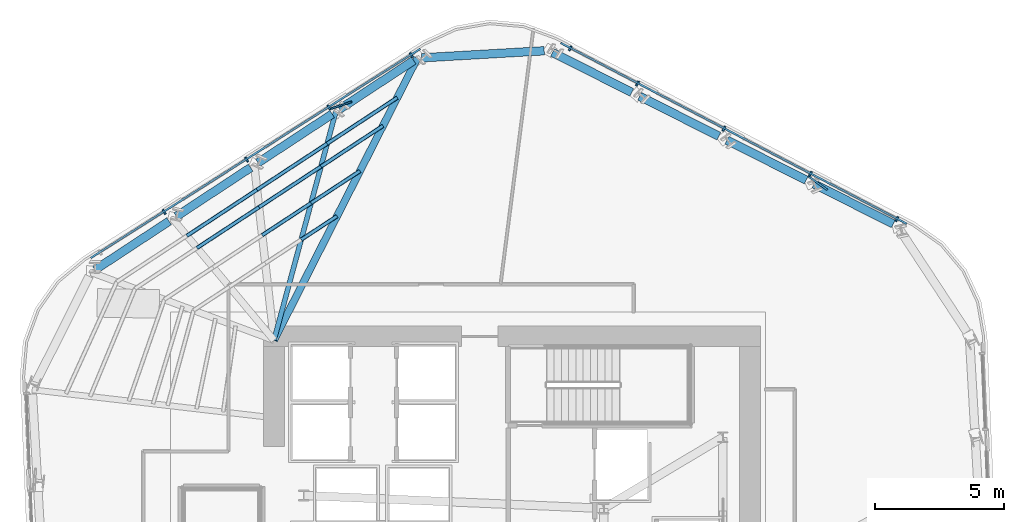
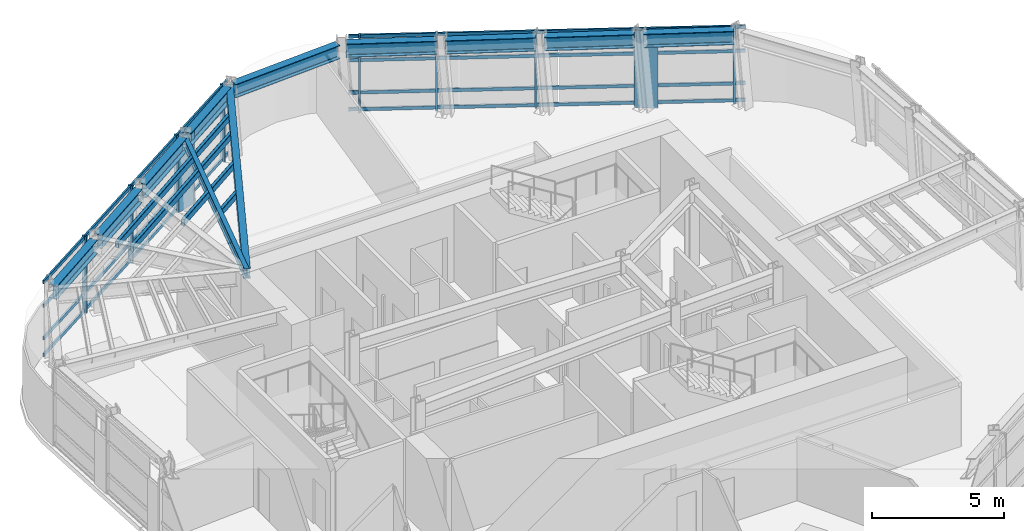
# One storey, part 6 of 15: 28 members, 11 beams, 2 elements without a shape of their own.
"""IFC4 building model written with IfcOpenShell, lengths in metres."""

from ifc_helpers import new_model, si_unit, direction, frame, origin, origin_2d, place, context, subcontext, project, spatial, rectangle, hollow_rectangle, i_section, extrude, material, layer, layer_set, material_profile, profile_set, type_object, element, aggregate, save


model = new_model("IFC4")

# Units and contexts
model_context = context("Model", 3, precision=1e-05, world=origin(), true_north=direction((0.0, 1.0)))
body_context = subcontext(model_context, "Body", "Model", "MODEL_VIEW")
ifc_project = project(units=[si_unit("LENGTHUNIT", "METRE"), si_unit("AREAUNIT", "SQUARE_METRE"), si_unit("VOLUMEUNIT", "CUBIC_METRE"), si_unit("PLANEANGLEUNIT", "RADIAN"), si_unit("MASSUNIT", "GRAM", prefix="KILO")], contexts=[model_context])

# Site, building, storey
site_placement = place(None, origin())
site = spatial("IfcSite", under=ifc_project, at=site_placement, CompositionType="ELEMENT")
building_placement = place(site_placement, origin())
building = spatial("IfcBuilding", under=site, at=building_placement, Name="Valkerne Bourse Tower", CompositionType="ELEMENT")
storey_placement = place(building_placement, frame((0.0, 0.0, 162.800048828125)))
storey = spatial("IfcBuildingStorey", under=building, at=storey_placement, Name="L41", CompositionType="ELEMENT", Elevation=162.800048828125)

# Beams
ifc_material_1 = material(Name="Steel ASTM A992", Category="steel")
ifc_material_profile_1 = material_profile(ifc_material_1, i_section(OverallWidth=0.1904296875, OverallDepth=0.457275390625, WebThickness=0.009033203125, FlangeThickness=0.014404296875, FilletRadius=0.01513671875, at=origin_2d()), Name="W18X50")
ifc_profile_set_1 = profile_set([ifc_material_profile_1], Name="Steel ASTM A992")
beam_type_1 = type_object("IfcBeamType", Name="BM-W18X50", PredefinedType="JOIST", material=ifc_profile_set_1)
beam_1_placement = place(storey_placement, frame((39.99072265625, 44.234619140625, 3.351318359375), z_axis=(-0.261200603108, -0.965284540918, 0.0), x_axis=(0.965284540918, -0.261200603108, 0.0)))
element("IfcBeam", 1, at=beam_1_placement, inside=storey, type_object=beam_type_1, Name="L41 Radial Composite Floor Beam 06", PredefinedType="JOIST", context=body_context, shape_type="SweptSolid", body=[
    extrude(i_section(OverallWidth=0.1904296875, OverallDepth=0.457275390625, WebThickness=0.009033203125, FlangeThickness=0.014404296875, FilletRadius=0.01513671875, at=origin_2d()), origin(), (0.0, 0.0, 1.0), 9.15234375),
])
ifc_material_profile_2 = material_profile(ifc_material_1, i_section(OverallWidth=0.279296875, OverallDepth=0.46240234375, WebThickness=0.0107421875, FlangeThickness=0.017333984375, FilletRadius=0.017822265625, at=origin_2d()), Name="W18X76")
ifc_profile_set_2 = profile_set([ifc_material_profile_2], Name="Steel ASTM A992")
beam_type_2 = type_object("IfcBeamType", Name="BM-W18X76", PredefinedType="BEAM", material=ifc_profile_set_2)
beam_2_placement = place(storey_placement, frame((43.142578125, 46.304931640625, 3.3486328125), z_axis=(-0.453087551461, -0.891466023307, 0.0), x_axis=(0.891466023307, -0.453087551461, 0.0)))
element("IfcBeam", 2, at=beam_2_placement, inside=storey, type_object=beam_type_2, Name="L41 Radial Composite Floor Beam 05", PredefinedType="BEAM", context=body_context, shape_type="SweptSolid", body=[
    extrude(i_section(OverallWidth=0.279296875, OverallDepth=0.46240234375, WebThickness=0.0107421875, FlangeThickness=0.017333984375, FilletRadius=0.017822265625, at=origin_2d()), origin(), (0.0, 0.0, 1.0), 12.232666015625),
])
ifc_material_profile_3 = material_profile(ifc_material_1, i_section(OverallWidth=0.32763671875, OverallDepth=0.62744140625, WebThickness=0.0166015625, FlangeThickness=0.027587890625, FilletRadius=0.020263671875, at=origin_2d()), Name="W24X146")
ifc_profile_set_3 = profile_set([ifc_material_profile_3], Name="Steel ASTM A992")
beam_type_3 = type_object("IfcBeamType", Name="BM-W24X146", PredefinedType="SPANDREL", material=ifc_profile_set_3)
beam_3_placement = place(storey_placement, frame((61.5380859375, 39.896240234375, 3.266357421875), z_axis=(-0.89335731116, 0.449346986856, 0.0), x_axis=(-0.449346986856, -0.89335731116, 0.0)))
element("IfcBeam", 3, at=beam_3_placement, inside=storey, type_object=beam_type_3, Name="L41 Hexagonal Spandrel Ring Beam 00", PredefinedType="SPANDREL", context=body_context, shape_type="SweptSolid", body=[
    extrude(i_section(OverallWidth=0.32763671875, OverallDepth=0.62744140625, WebThickness=0.0166015625, FlangeThickness=0.027587890625, FilletRadius=0.020263671875, at=origin_2d()), origin(), (0.0, 0.0, 1.0), 3.43115234375),
])
beam_4_placement = place(storey_placement, frame((58.169189453125, 41.5908203125, 3.266357421875), z_axis=(-0.89341443513, 0.449233399361, 0.0), x_axis=(-0.449233399361, -0.89341443513, 0.0)))
element("IfcBeam", 4, at=beam_4_placement, inside=storey, type_object=beam_type_3, Name="L41 Hexagonal Spandrel Ring Beam 01", PredefinedType="SPANDREL", context=body_context, shape_type="SweptSolid", body=[
    extrude(i_section(OverallWidth=0.32763671875, OverallDepth=0.62744140625, WebThickness=0.0166015625, FlangeThickness=0.027587890625, FilletRadius=0.020263671875, at=origin_2d()), origin(), (0.0, 0.0, 1.0), 3.430908203125),
])
beam_5_placement = place(storey_placement, frame((54.80029296875, 43.284912109375, 3.266357421875), z_axis=(-0.89335731116, 0.449346986856, 0.0), x_axis=(-0.449346986856, -0.89335731116, 0.0)))
element("IfcBeam", 5, at=beam_5_placement, inside=storey, type_object=beam_type_3, Name="L41 Hexagonal Spandrel Ring Beam 02", PredefinedType="SPANDREL", context=body_context, shape_type="SweptSolid", body=[
    extrude(i_section(OverallWidth=0.32763671875, OverallDepth=0.62744140625, WebThickness=0.0166015625, FlangeThickness=0.027587890625, FilletRadius=0.020263671875, at=origin_2d()), origin(), (0.0, 0.0, 1.0), 3.43115234375),
])
beam_6_placement = place(storey_placement, frame((51.431396484375, 44.9794921875, 3.266357421875), z_axis=(-0.893385874037, 0.449290195832, 0.0), x_axis=(-0.449290195832, -0.893385874037, 0.0)))
element("IfcBeam", 6, at=beam_6_placement, inside=storey, type_object=beam_type_3, Name="L41 Hexagonal Spandrel Ring Beam 03", PredefinedType="SPANDREL", context=body_context, shape_type="SweptSolid", body=[
    extrude(i_section(OverallWidth=0.32763671875, OverallDepth=0.62744140625, WebThickness=0.0166015625, FlangeThickness=0.027587890625, FilletRadius=0.020263671875, at=origin_2d()), origin(), (0.0, 0.0, 1.0), 3.430908203125),
])
beam_7_placement = place(storey_placement, frame((48.044677734375, 46.587646484375, 3.266357421875), z_axis=(-0.998340852778, -0.057580740477, 0.0), x_axis=(0.057580740477, -0.998340852778, 0.0)))
element("IfcBeam", 7, at=beam_7_placement, inside=storey, type_object=beam_type_3, Name="L41 Hexagonal Spandrel Ring Beam 04", PredefinedType="SPANDREL", context=body_context, shape_type="SweptSolid", body=[
    extrude(i_section(OverallWidth=0.32763671875, OverallDepth=0.62744140625, WebThickness=0.0166015625, FlangeThickness=0.027587890625, FilletRadius=0.020263671875, at=origin_2d()), origin(), (0.0, 0.0, 1.0), 4.740234375),
])
beam_8_placement = place(storey_placement, frame((43.00048828125, 46.211669921875, 3.266357421875), z_axis=(-0.835796907879, -0.549038731585, 0.0), x_axis=(0.549038731585, -0.835796907879, 0.0)))
element("IfcBeam", 8, at=beam_8_placement, inside=storey, type_object=beam_type_3, Name="L41 Hexagonal Spandrel Ring Beam 05", PredefinedType="SPANDREL", context=body_context, shape_type="SweptSolid", body=[
    extrude(i_section(OverallWidth=0.32763671875, OverallDepth=0.62744140625, WebThickness=0.0166015625, FlangeThickness=0.027587890625, FilletRadius=0.020263671875, at=origin_2d()), origin(), (0.0, 0.0, 1.0), 3.43115234375),
])
beam_9_placement = place(storey_placement, frame((39.8486328125, 44.141357421875, 3.266357421875), z_axis=(-0.835775456487, -0.549071385462, 0.0), x_axis=(0.549071385462, -0.835775456487, 0.0)))
element("IfcBeam", 9, at=beam_9_placement, inside=storey, type_object=beam_type_3, Name="L41 Hexagonal Spandrel Ring Beam 06", PredefinedType="SPANDREL", context=body_context, shape_type="SweptSolid", body=[
    extrude(i_section(OverallWidth=0.32763671875, OverallDepth=0.62744140625, WebThickness=0.0166015625, FlangeThickness=0.027587890625, FilletRadius=0.020263671875, at=origin_2d()), origin(), (0.0, 0.0, 1.0), 3.430908203125),
])
beam_10_placement = place(storey_placement, frame((36.697021484375, 42.07080078125, 3.266357421875), z_axis=(-0.83585100455, -0.548956371848, 0.0), x_axis=(0.548956371848, -0.83585100455, 0.0)))
element("IfcBeam", 10, at=beam_10_placement, inside=storey, type_object=beam_type_3, Name="L41 Hexagonal Spandrel Ring Beam 07", PredefinedType="SPANDREL", context=body_context, shape_type="SweptSolid", body=[
    extrude(i_section(OverallWidth=0.32763671875, OverallDepth=0.62744140625, WebThickness=0.0166015625, FlangeThickness=0.027587890625, FilletRadius=0.020263671875, at=origin_2d()), origin(), (0.0, 0.0, 1.0), 3.43115234375),
])
beam_11_placement = place(storey_placement, frame((33.544921875, 40.00048828125, 3.266357421875), z_axis=(-0.835775456487, -0.549071385462, 0.0), x_axis=(0.549071385462, -0.835775456487, 0.0)))
element("IfcBeam", 11, at=beam_11_placement, inside=storey, type_object=beam_type_3, Name="L41 Hexagonal Spandrel Ring Beam 08", PredefinedType="SPANDREL", context=body_context, shape_type="SweptSolid", body=[
    extrude(i_section(OverallWidth=0.32763671875, OverallDepth=0.62744140625, WebThickness=0.0166015625, FlangeThickness=0.027587890625, FilletRadius=0.020263671875, at=origin_2d()), origin(), (0.0, 0.0, 1.0), 3.430908203125),
])

# Curtain wall, members
ifc_material_2 = material(Name="Aluminium AA 6063-T6", Category="aluminium")
ifc_layer = layer(ifc_material_2, 0.235107421875)
ifc_layer_set = layer_set([ifc_layer], Name="Aluminium AA 6063-T6")
curtain_wall_type = type_object("IfcCurtainWallType", Name="CW-03", PredefinedType="NOTDEFINED", material=ifc_layer_set)
curtain_wall_1_placement = place(storey_placement, origin())
curtain_wall_1 = element("IfcCurtainWall", 12, at=curtain_wall_1_placement, inside=storey, type_object=curtain_wall_type, Name="L41 Hexagonal Stick Curtain Wall Face 1", PredefinedType="NOTDEFINED")
ifc_material_profile_4 = material_profile(ifc_material_2, rectangle(XDim=0.074951171875, YDim=0.199951171875, at=origin_2d()), Name="CWM-75X200")
ifc_profile_set_4 = profile_set([ifc_material_profile_4], Name="Aluminium AA 6063-T6")
member_type_1 = type_object("IfcMemberType", Name="CW-MUL-220X75", PredefinedType="MULLION", material=ifc_profile_set_4)
member_1_placement = place(storey_placement, frame((61.6748046875, 40.080322265625, 0.0), z_axis=(0.0, 0.0, 1.0), x_axis=(-0.886198224571, 0.463306277495, 0.0)))
member_1 = element("IfcMember", 13, at=member_1_placement, type_object=member_type_1, Name="CW-L41-F1 Jamb Mullion 00A", PredefinedType="MULLION", context=body_context, shape_type="SweptSolid", body=[
    extrude(rectangle(XDim=0.074951171875, YDim=0.199951171875, at=origin_2d()), origin(), (0.0, 0.0, 1.0), 3.579833984375),
])
member_2_placement = place(storey_placement, frame((58.3330078125, 41.827392578125, 0.0), z_axis=(0.0, 0.0, 1.0), x_axis=(-0.886203916653, 0.46329538969, 0.0)))
member_2 = element("IfcMember", 14, at=member_2_placement, type_object=member_type_1, Name="CW-L41-F1 Jamb Mullion 01A", PredefinedType="MULLION", context=body_context, shape_type="SweptSolid", body=[
    extrude(rectangle(XDim=0.074951171875, YDim=0.199951171875, at=origin_2d()), origin(), (0.0, 0.0, 1.0), 3.579833984375),
])
member_3_placement = place(storey_placement, frame((54.990966796875, 43.574462890625, 0.0), z_axis=(0.0, 0.0, 1.0), x_axis=(-0.886203916653, 0.46329538969, 0.0)))
member_3 = element("IfcMember", 15, at=member_3_placement, type_object=member_type_1, Name="CW-L41-F1 Jamb Mullion 02A", PredefinedType="MULLION", context=body_context, shape_type="SweptSolid", body=[
    extrude(rectangle(XDim=0.074951171875, YDim=0.199951171875, at=origin_2d()), origin(), (0.0, 0.0, 1.0), 3.579833984375),
])
member_4_placement = place(storey_placement, frame((51.649169921875, 45.321533203125, 0.0), z_axis=(0.0, 0.0, 1.0), x_axis=(-0.886203916653, 0.46329538969, 0.0)))
member_4 = element("IfcMember", 16, at=member_4_placement, type_object=member_type_1, Name="CW-L41-F1 Jamb Mullion 03A", PredefinedType="MULLION", context=body_context, shape_type="SweptSolid", body=[
    extrude(rectangle(XDim=0.074951171875, YDim=0.199951171875, at=origin_2d()), origin(), (0.0, 0.0, 1.0), 3.579833984375),
])
member_5_placement = place(storey_placement, frame((49.051513671875, 46.679443359375, 0.0), z_axis=(0.0, 0.0, 1.0), x_axis=(-0.886203916653, 0.46329538969, 0.0)))
member_5 = element("IfcMember", 17, at=member_5_placement, type_object=member_type_1, Name="CW-L41-F1 Jamb Mullion 03B", PredefinedType="MULLION", context=body_context, shape_type="SweptSolid", body=[
    extrude(rectangle(XDim=0.074951171875, YDim=0.199951171875, at=origin_2d()), origin(), (0.0, 0.0, 1.0), 3.579833984375),
])

curtain_wall_2_placement = place(storey_placement, origin())
curtain_wall_2 = element("IfcCurtainWall", 18, at=curtain_wall_2_placement, inside=storey, type_object=curtain_wall_type, Name="L41 Hexagonal Stick Curtain Wall Face 2", PredefinedType="NOTDEFINED")
member_6_placement = place(storey_placement, frame((42.909423828125, 46.422119140625, 0.0), z_axis=(0.0, 0.0, 1.0), x_axis=(-0.844331265878, -0.535821531353, 0.0)))
member_6 = element("IfcMember", 19, at=member_6_placement, type_object=member_type_1, Name="CW-L41-F2 Jamb Mullion 00A", PredefinedType="MULLION", context=body_context, shape_type="SweptSolid", body=[
    extrude(rectangle(XDim=0.074951171875, YDim=0.199951171875, at=origin_2d()), origin(), (0.0, 0.0, 1.0), 3.579833984375),
])
member_7_placement = place(storey_placement, frame((39.7255859375, 44.4013671875, 0.0), z_axis=(0.0, 0.0, 1.0), x_axis=(-0.844323652199, -0.535833528568, 0.0)))
member_7 = element("IfcMember", 20, at=member_7_placement, type_object=member_type_1, Name="CW-L41-F2 Jamb Mullion 01A", PredefinedType="MULLION", context=body_context, shape_type="SweptSolid", body=[
    extrude(rectangle(XDim=0.074951171875, YDim=0.199951171875, at=origin_2d()), origin(), (0.0, 0.0, 1.0), 3.579833984375),
])
member_8_placement = place(storey_placement, frame((36.54150390625, 42.380859375, 0.0), z_axis=(0.0, 0.0, 1.0), x_axis=(-0.844331265878, -0.535821531353, 0.0)))
member_8 = element("IfcMember", 21, at=member_8_placement, type_object=member_type_1, Name="CW-L41-F2 Jamb Mullion 02A", PredefinedType="MULLION", context=body_context, shape_type="SweptSolid", body=[
    extrude(rectangle(XDim=0.074951171875, YDim=0.199951171875, at=origin_2d()), origin(), (0.0, 0.0, 1.0), 3.579833984375),
])
member_9_placement = place(storey_placement, frame((33.357666015625, 40.360107421875, 0.0), z_axis=(0.0, 0.0, 1.0), x_axis=(-0.844331265878, -0.535821531353, 0.0)))
member_9 = element("IfcMember", 22, at=member_9_placement, type_object=member_type_1, Name="CW-L41-F2 Jamb Mullion 03A", PredefinedType="MULLION", context=body_context, shape_type="SweptSolid", body=[
    extrude(rectangle(XDim=0.074951171875, YDim=0.199951171875, at=origin_2d()), origin(), (0.0, 0.0, 1.0), 3.579833984375),
])

# Member
ifc_material_profile_5 = material_profile(ifc_material_2, rectangle(XDim=0.074951171875, YDim=0.14990234375, at=origin_2d()), Name="CWT-75X150")
ifc_profile_set_5 = profile_set([ifc_material_profile_5], Name="Aluminium AA 6063-T6")
member_type_2 = type_object("IfcMemberType", Name="CW-TRN-180X65", PredefinedType="USERDEFINED", material=ifc_profile_set_5)
member_10_placement = place(storey_placement, frame((62.05615234375, 39.9033203125, 0.119873046875), z_axis=(-0.88619810784, 0.463306500775, 0.0), x_axis=(-0.463306500775, -0.88619810784, 0.0)))
member_10 = element("IfcMember", 23, at=member_10_placement, type_object=member_type_2, Name="CW-L41-F1 Continuous Face Transom 1", ObjectType="TRANSOM", PredefinedType="USERDEFINED", context=body_context, shape_type="SweptSolid", body=[
    extrude(rectangle(XDim=0.074951171875, YDim=0.14990234375, at=origin_2d()), origin(), (0.0, 0.0, 1.0), 15.083984375),
])

member_11_placement = place(storey_placement, frame((62.05615234375, 39.9033203125, 0.89990234375), z_axis=(-0.88619810784, 0.463306500775, 0.0), x_axis=(-0.463306500775, -0.88619810784, 0.0)))
member_11 = element("IfcMember", 24, at=member_11_placement, type_object=member_type_2, Name="CW-L41-F1 Continuous Face Transom 2", ObjectType="TRANSOM", PredefinedType="USERDEFINED", context=body_context, shape_type="SweptSolid", body=[
    extrude(rectangle(XDim=0.074951171875, YDim=0.14990234375, at=origin_2d()), origin(), (0.0, 0.0, 1.0), 15.083984375),
])

member_12_placement = place(storey_placement, frame((62.05615234375, 39.9033203125, 2.39990234375), z_axis=(-0.88619810784, 0.463306500775, 0.0), x_axis=(-0.463306500775, -0.88619810784, 0.0)))
member_12 = element("IfcMember", 25, at=member_12_placement, type_object=member_type_2, Name="CW-L41-F1 Continuous Face Transom 3", ObjectType="TRANSOM", PredefinedType="USERDEFINED", context=body_context, shape_type="SweptSolid", body=[
    extrude(rectangle(XDim=0.074951171875, YDim=0.14990234375, at=origin_2d()), origin(), (0.0, 0.0, 1.0), 15.083984375),
])

member_13_placement = place(storey_placement, frame((62.05615234375, 39.9033203125, 3.5), z_axis=(-0.88619810784, 0.463306500775, 0.0), x_axis=(-0.463306500775, -0.88619810784, 0.0)))
member_13 = element("IfcMember", 26, at=member_13_placement, type_object=member_type_2, Name="CW-L41-F1 Continuous Face Transom 4", ObjectType="TRANSOM", PredefinedType="USERDEFINED", context=body_context, shape_type="SweptSolid", body=[
    extrude(rectangle(XDim=0.074951171875, YDim=0.14990234375, at=origin_2d()), origin(), (0.0, 0.0, 1.0), 15.083984375),
])

aggregate(curtain_wall_1, [member_10, member_11, member_12, member_13, member_1, member_2, member_3, member_4, member_5])

member_14_placement = place(storey_placement, frame((43.25341796875, 46.6640625, 0.119873046875), z_axis=(-0.844324632394, -0.535831984052, 0.0), x_axis=(0.535831984052, -0.844324632394, 0.0)))
member_14 = element("IfcMember", 27, at=member_14_placement, type_object=member_type_2, Name="CW-L41-F2 Continuous Face Transom 1", ObjectType="TRANSOM", PredefinedType="USERDEFINED", context=body_context, shape_type="SweptSolid", body=[
    extrude(rectangle(XDim=0.074951171875, YDim=0.14990234375, at=origin_2d()), origin(), (0.0, 0.0, 1.0), 15.083984375),
])

member_15_placement = place(storey_placement, frame((43.25341796875, 46.6640625, 0.89990234375), z_axis=(-0.844324632394, -0.535831984052, 0.0), x_axis=(0.535831984052, -0.844324632394, 0.0)))
member_15 = element("IfcMember", 28, at=member_15_placement, type_object=member_type_2, Name="CW-L41-F2 Continuous Face Transom 2", ObjectType="TRANSOM", PredefinedType="USERDEFINED", context=body_context, shape_type="SweptSolid", body=[
    extrude(rectangle(XDim=0.074951171875, YDim=0.14990234375, at=origin_2d()), origin(), (0.0, 0.0, 1.0), 15.083984375),
])

member_16_placement = place(storey_placement, frame((43.25341796875, 46.6640625, 2.39990234375), z_axis=(-0.844324632394, -0.535831984052, 0.0), x_axis=(0.535831984052, -0.844324632394, 0.0)))
member_16 = element("IfcMember", 29, at=member_16_placement, type_object=member_type_2, Name="CW-L41-F2 Continuous Face Transom 3", ObjectType="TRANSOM", PredefinedType="USERDEFINED", context=body_context, shape_type="SweptSolid", body=[
    extrude(rectangle(XDim=0.074951171875, YDim=0.14990234375, at=origin_2d()), origin(), (0.0, 0.0, 1.0), 15.083984375),
])

member_17_placement = place(storey_placement, frame((43.25341796875, 46.6640625, 3.5), z_axis=(-0.844324632394, -0.535831984052, 0.0), x_axis=(0.535831984052, -0.844324632394, 0.0)))
member_17 = element("IfcMember", 30, at=member_17_placement, type_object=member_type_2, Name="CW-L41-F2 Continuous Face Transom 4", ObjectType="TRANSOM", PredefinedType="USERDEFINED", context=body_context, shape_type="SweptSolid", body=[
    extrude(rectangle(XDim=0.074951171875, YDim=0.14990234375, at=origin_2d()), origin(), (0.0, 0.0, 1.0), 15.083984375),
])

aggregate(curtain_wall_2, [member_14, member_15, member_16, member_17, member_6, member_7, member_8, member_9])

# Members
ifc_material_3 = material(Name="Bronze Anodised Aluminium AA 6063-T6", Category="aluminium")
ifc_material_profile_6 = material_profile(ifc_material_3, rectangle(XDim=0.070068359375, YDim=0.89990234375, at=origin_2d()), Name="FIN-70X900")
ifc_profile_set_6 = profile_set([ifc_material_profile_6], Name="Bronze Anodised Aluminium AA 6063-T6")
member_type_3 = type_object("IfcMemberType", Name="FIN-SOLAR-900", PredefinedType="USERDEFINED", material=ifc_profile_set_6)
for number, where, z_axis, x_axis, name in (
    (31, (58.62158203125, 41.473388671875, 0.00390625), (0.0, 0.0, 1.0), (0.579400645341, 0.815042877509, 0.0), "L41 Bronze Anodised Solar Fin F1-01"),
    (32, (40.176513671875, 44.474609375, 0.00390625), (0.0, 0.0, 1.0), (-0.31619358765, 0.948694690155, 0.0), "L41 Bronze Anodised Solar Fin F2-01"),
):
    element("IfcMember", number, at=place(storey_placement, frame(where, z_axis=z_axis, x_axis=x_axis)), inside=storey, type_object=member_type_3, Name=name, ObjectType="SOLAR_FIN", PredefinedType="USERDEFINED", context=body_context, shape_type="SweptSolid", body=[
        extrude(rectangle(XDim=0.070068359375, YDim=0.89990234375, at=origin_2d()), origin(), (0.0, 0.0, 1.0), 3.572021484375),
    ])
ifc_material_4 = material(Name="Steel ASTM A500 Grade C", Category="steel")
ifc_material_profile_7 = material_profile(ifc_material_4, hollow_rectangle(XDim=0.14990234375, YDim=0.300048828125, WallThickness=0.012451171875, OuterFilletRadius=0.02490234375, at=origin_2d()), Name="HSS300X150X12.5")
ifc_profile_set_7 = profile_set([ifc_material_profile_7], Name="Steel ASTM A500 Grade C")
member_type_4 = type_object("IfcMemberType", Name="MBR-HSS300X150X12.5", PredefinedType="PURLIN", material=ifc_profile_set_7)
member_18_placement = place(storey_placement, frame((40.038818359375, 40.1982421875, 3.419921875), z_axis=(-0.835744065722, -0.549119164309, 0.0), x_axis=(0.549119164309, -0.835744065722, 0.0)))
element("IfcMember", 33, at=member_18_placement, inside=storey, type_object=member_type_4, Name="L41 Secondary Composite Floor Purlin K-05", PredefinedType="PURLIN", context=body_context, shape_type="SweptSolid", body=[
    extrude(hollow_rectangle(XDim=0.14990234375, YDim=0.300048828125, WallThickness=0.012451171875, OuterFilletRadius=0.02490234375, at=origin_2d()), origin(), (0.0, 0.0, 1.0), 1.6591796875),
])
for number, where, z_axis, x_axis, name in (
    (34, (41.8125, 43.687744140625, 3.419921875), (-0.835818278911, -0.549006197267, 0.0), (0.549006197267, -0.835818278911, 0.0), "L41 Secondary Composite Floor Purlin O-05"),
    (35, (39.4169921875, 42.1142578125, 3.419921875), (-0.835818278911, -0.549006197267, 0.0), (0.549006197267, -0.835818278911, 0.0), "L41 Secondary Composite Floor Purlin O-06"),
    (36, (37.021484375, 40.540771484375, 3.419921875), (-0.835792601266, -0.549045287449, 0.0), (0.549045287449, -0.835792601266, 0.0), "L41 Secondary Composite Floor Purlin O-07"),
):
    element("IfcMember", number, at=place(storey_placement, frame(where, z_axis=z_axis, x_axis=x_axis)), inside=storey, type_object=member_type_4, Name=name, PredefinedType="PURLIN", context=body_context, shape_type="SweptSolid", body=[
        extrude(hollow_rectangle(XDim=0.14990234375, YDim=0.300048828125, WallThickness=0.012451171875, OuterFilletRadius=0.02490234375, at=origin_2d()), origin(), (0.0, 0.0, 1.0), 2.865966796875),
    ])
for number, where, z_axis, x_axis, name in (
    (37, (40.925537109375, 41.943115234375, 3.419921875), (-0.835766312453, -0.549085303908, 0.0), (0.549085303908, -0.835766312453, 0.0), "L41 Secondary Composite Floor Purlin Z-05"),
    (38, (39.034423828125, 40.70068359375, 3.419921875), (-0.835815826449, -0.549009930928, 0.0), (0.549009930928, -0.835815826449, 0.0), "L41 Secondary Composite Floor Purlin Z-06"),
):
    element("IfcMember", number, at=place(storey_placement, frame(where, z_axis=z_axis, x_axis=x_axis)), inside=storey, type_object=member_type_4, Name=name, PredefinedType="PURLIN", context=body_context, shape_type="SweptSolid", body=[
        extrude(hollow_rectangle(XDim=0.14990234375, YDim=0.300048828125, WallThickness=0.012451171875, OuterFilletRadius=0.02490234375, at=origin_2d()), origin(), (0.0, 0.0, 1.0), 2.2626953125),
    ])
member_19_placement = place(storey_placement, frame((42.36669921875, 44.7783203125, 3.419921875), z_axis=(-0.835817993752, -0.5490066314, 0.0), x_axis=(0.5490066314, -0.835817993752, 0.0)))
element("IfcMember", 39, at=member_19_placement, inside=storey, type_object=member_type_4, Name="L41 Secondary Composite Floor Purlin T-05", PredefinedType="PURLIN", context=body_context, shape_type="SweptSolid", body=[
    extrude(hollow_rectangle(XDim=0.14990234375, YDim=0.300048828125, WallThickness=0.012451171875, OuterFilletRadius=0.02490234375, at=origin_2d()), origin(), (0.0, 0.0, 1.0), 3.2431640625),
])
member_20_placement = place(storey_placement, frame((39.656005859375, 42.997802734375, 3.419921875), z_axis=(-0.835795302025, -0.549041176155, 0.0), x_axis=(0.549041176155, -0.835795302025, 0.0)))
element("IfcMember", 40, at=member_20_placement, inside=storey, type_object=member_type_4, Name="L41 Secondary Composite Floor Purlin T-06", PredefinedType="PURLIN", context=body_context, shape_type="SweptSolid", body=[
    extrude(hollow_rectangle(XDim=0.14990234375, YDim=0.300048828125, WallThickness=0.012451171875, OuterFilletRadius=0.02490234375, at=origin_2d()), origin(), (0.0, 0.0, 1.0), 3.242919921875),
])
member_21_placement = place(storey_placement, frame((36.945556640625, 41.21728515625, 3.419921875), z_axis=(-0.835817993752, -0.5490066314, 0.0), x_axis=(0.5490066314, -0.835817993752, 0.0)))
element("IfcMember", 41, at=member_21_placement, inside=storey, type_object=member_type_4, Name="L41 Secondary Composite Floor Purlin T-07", PredefinedType="PURLIN", context=body_context, shape_type="SweptSolid", body=[
    extrude(hollow_rectangle(XDim=0.14990234375, YDim=0.300048828125, WallThickness=0.012451171875, OuterFilletRadius=0.02490234375, at=origin_2d()), origin(), (0.0, 0.0, 1.0), 3.2431640625),
])

save(model, "model.ifc")
